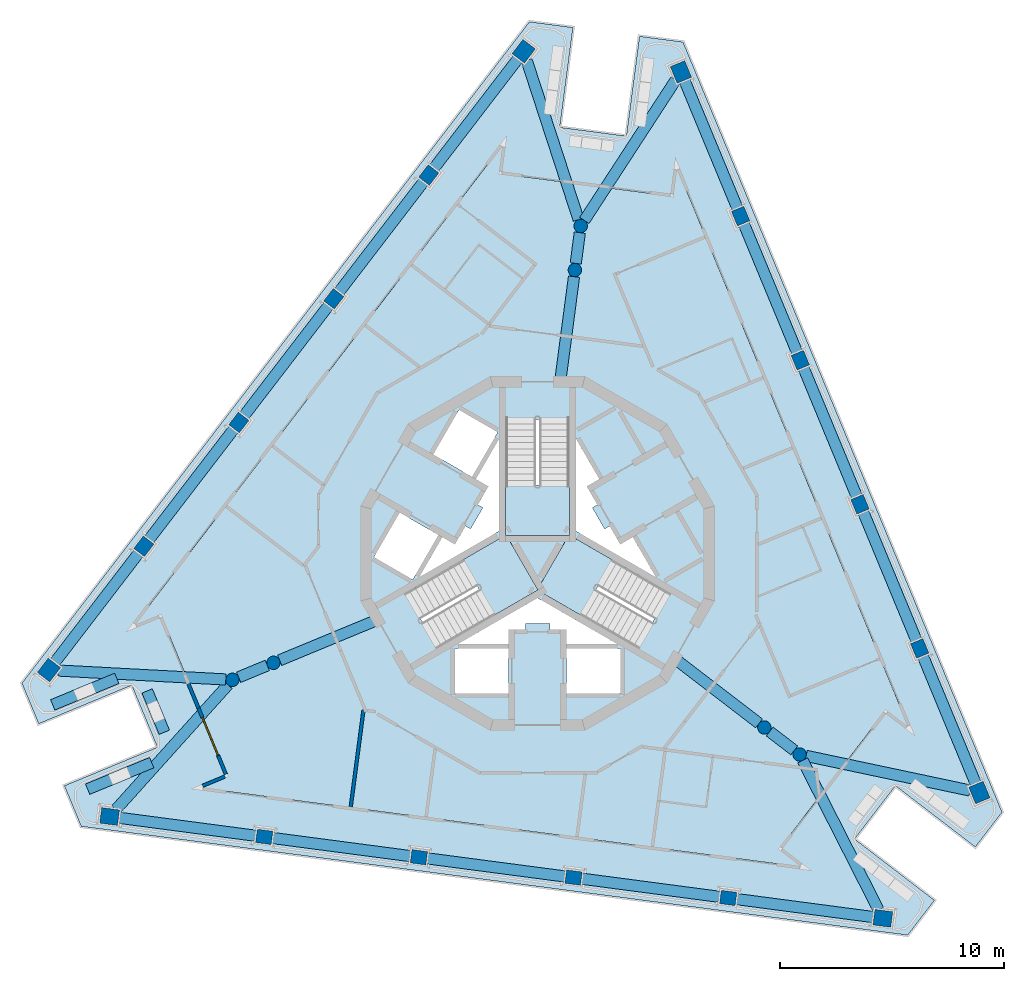
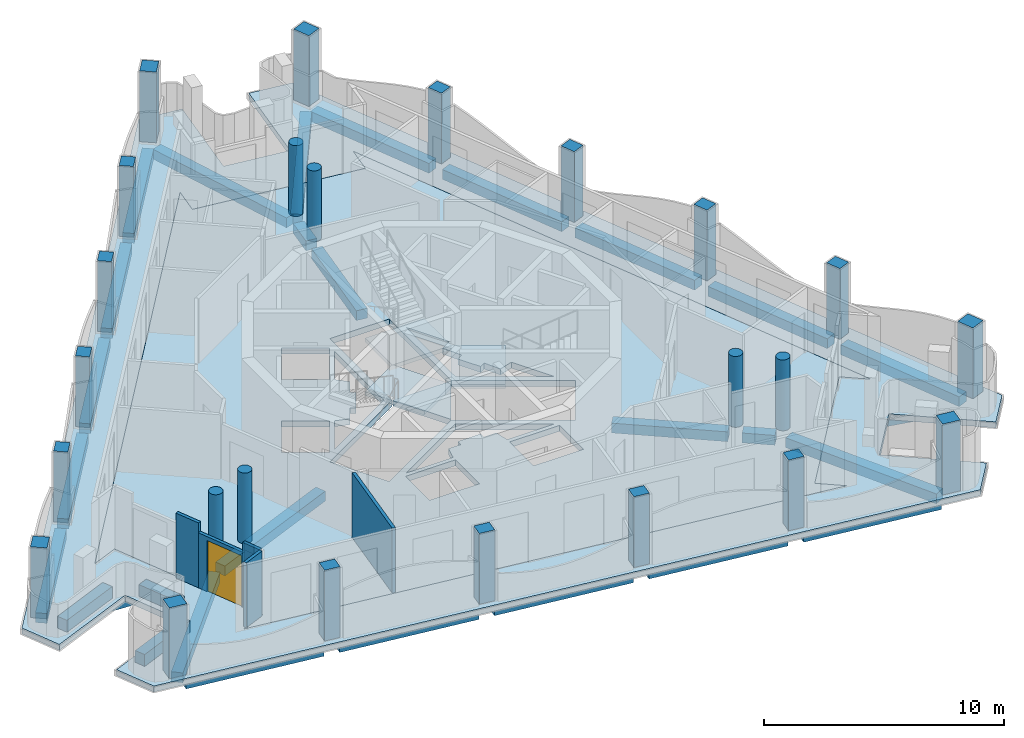
# One storey, part 1 of 12: 27 beams, 24 columns, 8 walls, 6 slabs, 1 door, 1 opening, 3 elements without a shape of their own.
"""IFC4 building model written with IfcOpenShell, lengths in metres."""

from ifc_helpers import new_model, si_unit, direction, frame, frame_2d, origin, origin_2d, place, context, subcontext, project, spatial, polyline, rectangle, circle, outline, extrude, material, layer, layer_set, material_profile, profile_set, type_object, element, fill, aggregate, save


model = new_model("IFC4")

# Units and contexts
model_context = context("Model", 3, precision=1e-05, world=origin(), true_north=direction((0.0, 1.0)))
body_context = subcontext(model_context, "Body", "Model", "MODEL_VIEW")
ifc_project = project(units=[si_unit("LENGTHUNIT", "METRE"), si_unit("AREAUNIT", "SQUARE_METRE"), si_unit("VOLUMEUNIT", "CUBIC_METRE"), si_unit("PLANEANGLEUNIT", "RADIAN"), si_unit("MASSUNIT", "GRAM", prefix="KILO")], contexts=[model_context])

# Site, building, storey
site_placement = place(None, origin())
site = spatial("IfcSite", under=ifc_project, at=site_placement, CompositionType="ELEMENT")
building_placement = place(site_placement, origin())
building = spatial("IfcBuilding", under=site, at=building_placement, Name="Trine Commons Tower", CompositionType="ELEMENT")
storey_placement = place(building_placement, frame((0.0, 0.0, 282.60009765625)))
storey = spatial("IfcBuildingStorey", under=building, at=storey_placement, Name="L74", CompositionType="ELEMENT", Elevation=282.60009765625)

# Columns
ifc_material_1 = material(Name="Concrete C50/60", Category="concrete")
ifc_material_profile_1 = material_profile(ifc_material_1, rectangle(XDim=0.699951171875, YDim=0.60009765625, at=origin_2d()), Name="RC 700x600")
ifc_profile_set_1 = profile_set([ifc_material_profile_1], Name="Concrete C50/60")
column_type_1 = type_object("IfcColumnType", Name="RC column 700x600, C50/60", PredefinedType="COLUMN", material=ifc_profile_set_1)
for number, where, z_axis, x_axis, name in (
    (1, (88.521728515625, 47.098876953125, 0.0), (0.0, 0.0, 1.0), (-0.991444861374, 0.13052619222, 0.0), "Column PC8-02 L74"),
    (2, (81.608642578125, 48.009033203125, 0.0), (0.0, 0.0, 1.0), (-0.991444861374, 0.13052619222, 0.0), "Column PC8-03 L74"),
    (3, (74.695556640625, 48.919189453125, 0.0), (0.0, 0.0, 1.0), (-0.991444861374, 0.13052619222, 0.0), "Column PC8-04 L74"),
    (4, (67.782470703125, 49.8291015625, 0.0), (0.0, 0.0, 1.0), (-0.991444861374, 0.13052619222, 0.0), "Column PC8-05 L74"),
    (5, (62.4013671875, 62.820556640625, 0.0), (0.0, 0.0, 1.0), (0.608761429009, 0.793353340291, 0.0), "Column PC8-08 L74"),
    (6, (66.64599609375, 68.352294921875, 0.0), (0.0, 0.0, 1.0), (0.608761429009, 0.793353340291, 0.0), "Column PC8-09 L74"),
    (7, (70.890869140625, 73.88427734375, 0.0), (0.0, 0.0, 1.0), (0.608761429009, 0.793353340291, 0.0), "Column PC8-10 L74"),
    (8, (75.135498046875, 79.416015625, 0.0), (0.0, 0.0, 1.0), (0.608761429009, 0.793353340291, 0.0), "Column PC8-11 L74"),
    (9, (89.076904296875, 77.58056640625, 0.0), (0.0, 0.0, 1.0), (-0.382683432365, 0.923879532511, 0.0), "Column PC8-14 L74"),
    (10, (91.745361328125, 71.138671875, 0.0), (0.0, 0.0, 1.0), (-0.382683432365, 0.923879532511, 0.0), "Column PC8-15 L74"),
    (11, (94.41357421875, 64.69677734375, 0.0), (0.0, 0.0, 1.0), (-0.382683432365, 0.923879532511, 0.0), "Column PC8-16 L74"),
    (12, (97.081787109375, 58.254638671875, 0.0), (0.0, 0.0, 1.0), (-0.382683432365, 0.923879532511, 0.0), "Column PC8-17 L74"),
):
    element("IfcColumn", number, at=place(storey_placement, frame(where, z_axis=z_axis, x_axis=x_axis)), inside=storey, type_object=column_type_1, Name=name, PredefinedType="COLUMN", context=body_context, shape_type="SweptSolid", body=[
        extrude(rectangle(XDim=0.699951171875, YDim=0.60009765625, at=origin_2d()), origin(), (0.0, 0.0, 1.0), 3.599853515625),
    ])
ifc_material_profile_2 = material_profile(ifc_material_1, rectangle(XDim=0.800048828125, YDim=0.699951171875, at=origin_2d()), Name="RC 800x700")
ifc_profile_set_2 = profile_set([ifc_material_profile_2], Name="Concrete C50/60")
column_type_2 = type_object("IfcColumnType", Name="RC column 800x700, C50/60", PredefinedType="COLUMN", material=ifc_profile_set_2)
for number, where, z_axis, x_axis, name in (
    (13, (95.434814453125, 46.188720703125, 0.0), (0.0, 0.0, 1.0), (-0.991444861374, 0.13052619222, 0.0), "Column PC8-01 L74"),
    (14, (60.869384765625, 50.7392578125, 0.0), (0.0, 0.0, 1.0), (-0.991444861374, 0.13052619222, 0.0), "Column PC8-06 L74"),
    (15, (58.156494140625, 57.288818359375, 0.0), (0.0, 0.0, 1.0), (0.608761429009, 0.793353340291, 0.0), "Column PC8-07 L74"),
    (16, (79.380126953125, 84.947998046875, 0.0), (0.0, 0.0, 1.0), (0.608761429009, 0.793353340291, 0.0), "Column PC8-12 L74"),
    (17, (86.40869140625, 84.022705078125, 0.0), (0.0, 0.0, 1.0), (-0.382683432365, 0.923879532511, 0.0), "Column PC8-13 L74"),
    (18, (99.750244140625, 51.812744140625, 0.0), (0.0, 0.0, 1.0), (-0.382683432365, 0.923879532511, 0.0), "Column PC8-18 L74"),
):
    element("IfcColumn", number, at=place(storey_placement, frame(where, z_axis=z_axis, x_axis=x_axis)), inside=storey, type_object=column_type_2, Name=name, PredefinedType="COLUMN", context=body_context, shape_type="SweptSolid", body=[
        extrude(rectangle(XDim=0.800048828125, YDim=0.699951171875, at=origin_2d()), origin(), (0.0, 0.0, 1.0), 3.599853515625),
    ])
ifc_material_profile_3 = material_profile(ifc_material_1, circle(Radius=0.300048828125, at=origin_2d()), Name="RC round 600")
ifc_profile_set_3 = profile_set([ifc_material_profile_3], Name="Concrete C50/60")
column_type_3 = type_object("IfcColumnType", Name="RC round column 600 mm, C50/60", PredefinedType="COLUMN", material=ifc_profile_set_3)
for number, where, z_axis, x_axis, name in (
    (19, (90.137451171875, 54.72119140625, 0.0), (0.0, 0.0, 1.0), (1.0, 0.0, 0.0), "Column WC8-1 L74"),
    (20, (91.711669921875, 53.513427734375, 0.0), (0.0, 0.0, 1.0), (1.0, 0.0, 0.0), "Column WC8-2 L74"),
    (21, (81.66796875, 75.168701171875, 0.0), (0.0, 0.0, 1.0), (1.0, 0.0, 0.0), "Column WC8-3 L74"),
    (22, (81.927001953125, 77.135986328125, 0.0), (0.0, 0.0, 1.0), (1.0, 0.0, 0.0), "Column WC8-4 L74"),
    (23, (68.194580078125, 57.610107421875, 0.0), (0.0, 0.0, 1.0), (1.0, 0.0, 0.0), "Column WC8-5 L74"),
    (24, (66.361572265625, 56.850830078125, 0.0), (0.0, 0.0, 1.0), (1.0, 0.0, 0.0), "Column WC8-6 L74"),
):
    element("IfcColumn", number, at=place(storey_placement, frame(where, z_axis=z_axis, x_axis=x_axis)), inside=storey, type_object=column_type_3, Name=name, PredefinedType="COLUMN", context=body_context, shape_type="SweptSolid", body=[
        extrude(circle(Radius=0.300048828125, at=origin_2d()), origin(), (0.0, 0.0, 1.0), 3.599853515625),
    ])

# Beams
ifc_material_2 = material(Name="Concrete C40/50", Category="concrete")
ifc_material_profile_4 = material_profile(ifc_material_2, rectangle(XDim=0.5, YDim=0.5, at=origin_2d()), Name="RC 500x500")
ifc_profile_set_4 = profile_set([ifc_material_profile_4], Name="Concrete C40/50")
beam_type = type_object("IfcBeamType", Name="RC beam 500x500, C40/50", PredefinedType="BEAM", material=ifc_profile_set_4)
beam_1_placement = place(storey_placement, frame((95.0380859375, 46.240966796875, -0.550048828125), z_axis=(-0.991444143506, 0.130531644853, 0.0), x_axis=(-0.130531644853, -0.991444143506, 0.0)))
element("IfcBeam", 25, at=beam_1_placement, inside=storey, type_object=beam_type, Name="Beam EB8-01 L74", PredefinedType="BEAM", context=body_context, shape_type="SweptSolid", body=[
    extrude(rectangle(XDim=0.5, YDim=0.5, at=origin_2d()), origin(), (0.0, 0.0, 1.0), 6.22265625),
])
beam_2_placement = place(storey_placement, frame((88.1748046875, 47.14453125, -0.550048828125), z_axis=(-0.9914427663, 0.130542104902, 0.0), x_axis=(-0.130542104902, -0.9914427663, 0.0)))
element("IfcBeam", 26, at=beam_2_placement, inside=storey, type_object=beam_type, Name="Beam EB8-02 L74", PredefinedType="BEAM", context=body_context, shape_type="SweptSolid", body=[
    extrude(rectangle(XDim=0.5, YDim=0.5, at=origin_2d()), origin(), (0.0, 0.0, 1.0), 6.272705078125),
])
for number, where, z_axis, x_axis, name in (
    (27, (81.26171875, 48.0546875, -0.550048828125), (-0.991448465824, 0.130498810784, 0.0), (-0.130498810784, -0.991448465824, 0.0), "Beam EB8-03 L74"),
    (28, (74.3486328125, 48.96484375, -0.550048828125), (-0.991448465824, 0.130498810784, 0.0), (-0.130498810784, -0.991448465824, 0.0), "Beam EB8-04 L74"),
):
    element("IfcBeam", number, at=place(storey_placement, frame(where, z_axis=z_axis, x_axis=x_axis)), inside=storey, type_object=beam_type, Name=name, PredefinedType="BEAM", context=body_context, shape_type="SweptSolid", body=[
        extrude(rectangle(XDim=0.5, YDim=0.5, at=origin_2d()), origin(), (0.0, 0.0, 1.0), 6.27294921875),
    ])
for number, where, z_axis, x_axis, name in (
    (29, (67.435546875, 49.875, -0.550048828125), (-0.991449220248, 0.130493079009, 0.0), (-0.130493079009, -0.991449220248, 0.0), "Beam EB8-05 L74"),
    (30, (58.400146484375, 57.60595703125, -0.550048828125), (0.60875848978, 0.793355595632, 0.0), (-0.793355595632, 0.60875848978, 0.0), "Beam EB8-06 L74"),
):
    element("IfcBeam", number, at=place(storey_placement, frame(where, z_axis=z_axis, x_axis=x_axis)), inside=storey, type_object=beam_type, Name=name, PredefinedType="BEAM", context=body_context, shape_type="SweptSolid", body=[
        extrude(rectangle(XDim=0.5, YDim=0.5, at=origin_2d()), origin(), (0.0, 0.0, 1.0), 6.22265625),
    ])
for number, where, z_axis, x_axis, name in (
    (31, (62.614501953125, 63.09814453125, -0.550048828125), (0.608756693169, 0.793356974206, 0.0), (-0.793356974206, 0.608756693169, 0.0), "Beam EB8-07 L74"),
    (32, (66.859130859375, 68.630126953125, -0.550048828125), (0.608775490712, 0.793342550169, 0.0), (-0.793342550169, 0.608775490712, 0.0), "Beam EB8-08 L74"),
):
    element("IfcBeam", number, at=place(storey_placement, frame(where, z_axis=z_axis, x_axis=x_axis)), inside=storey, type_object=beam_type, Name=name, PredefinedType="BEAM", context=body_context, shape_type="SweptSolid", body=[
        extrude(rectangle(XDim=0.5, YDim=0.5, at=origin_2d()), origin(), (0.0, 0.0, 1.0), 6.272705078125),
    ])
beam_3_placement = place(storey_placement, frame((71.10400390625, 74.161865234375, -0.550048828125), z_axis=(0.608750992772, 0.793361348188, 0.0), x_axis=(-0.793361348188, 0.608750992772, 0.0)))
element("IfcBeam", 33, at=beam_3_placement, inside=storey, type_object=beam_type, Name="Beam EB8-09 L74", PredefinedType="BEAM", context=body_context, shape_type="SweptSolid", body=[
    extrude(rectangle(XDim=0.5, YDim=0.5, at=origin_2d()), origin(), (0.0, 0.0, 1.0), 6.2724609375),
])
beam_4_placement = place(storey_placement, frame((75.3486328125, 79.693603515625, -0.550048828125), z_axis=(0.60873954155, 0.793370134649, 0.0), x_axis=(-0.793370134649, 0.60873954155, 0.0)))
element("IfcBeam", 34, at=beam_4_placement, inside=storey, type_object=beam_type, Name="Beam EB8-10 L74", PredefinedType="BEAM", context=body_context, shape_type="SweptSolid", body=[
    extrude(rectangle(XDim=0.5, YDim=0.5, at=origin_2d()), origin(), (0.0, 0.0, 1.0), 6.222900390625),
])
beam_5_placement = place(storey_placement, frame((86.561767578125, 83.653076171875, -0.550048828125), z_axis=(0.382686748804, -0.92387815879, 0.0), x_axis=(0.92387815879, 0.382686748804, 0.0)))
element("IfcBeam", 35, at=beam_5_placement, inside=storey, type_object=beam_type, Name="Beam EB8-11 L74", PredefinedType="BEAM", context=body_context, shape_type="SweptSolid", body=[
    extrude(rectangle(XDim=0.5, YDim=0.5, at=origin_2d()), origin(), (0.0, 0.0, 1.0), 6.22265625),
])
beam_6_placement = place(storey_placement, frame((89.210693359375, 77.257080078125, -0.550048828125), z_axis=(0.382724191967, -0.923862648278, 0.0), x_axis=(0.923862648278, 0.382724191967, 0.0)))
element("IfcBeam", 36, at=beam_6_placement, inside=storey, type_object=beam_type, Name="Beam EB8-12 L74", PredefinedType="BEAM", context=body_context, shape_type="SweptSolid", body=[
    extrude(rectangle(XDim=0.5, YDim=0.5, at=origin_2d()), origin(), (0.0, 0.0, 1.0), 6.2724609375),
])
for number, where, z_axis, x_axis, name in (
    (37, (91.879150390625, 70.815185546875, -0.550048828125), (0.38271043005, -0.923868349242, 0.0), (0.923868349242, 0.38271043005, 0.0), "Beam EB8-13 L74"),
    (38, (94.547607421875, 64.373291015625, -0.550048828125), (0.38267720894, -0.923882110314, 0.0), (0.923882110314, 0.38267720894, 0.0), "Beam EB8-14 L74"),
):
    element("IfcBeam", number, at=place(storey_placement, frame(where, z_axis=z_axis, x_axis=x_axis)), inside=storey, type_object=beam_type, Name=name, PredefinedType="BEAM", context=body_context, shape_type="SweptSolid", body=[
        extrude(rectangle(XDim=0.5, YDim=0.5, at=origin_2d()), origin(), (0.0, 0.0, 1.0), 6.272705078125),
    ])
beam_7_placement = place(storey_placement, frame((97.2158203125, 57.931396484375, -0.550048828125), z_axis=(0.382686748804, -0.92387815879, 0.0), x_axis=(0.92387815879, 0.382686748804, 0.0)))
element("IfcBeam", 39, at=beam_7_placement, inside=storey, type_object=beam_type, Name="Beam EB8-15 L74", PredefinedType="BEAM", context=body_context, shape_type="SweptSolid", body=[
    extrude(rectangle(XDim=0.5, YDim=0.5, at=origin_2d()), origin(), (0.0, 0.0, 1.0), 6.22265625),
])
beam_8_placement = place(storey_placement, frame((61.1533203125, 51.054931640625, -0.550048828125), z_axis=(0.668383038107, 0.743817258721, 0.0), x_axis=(-0.743817258721, 0.668383038107, 0.0)))
element("IfcBeam", 40, at=beam_8_placement, inside=storey, type_object=beam_type, Name="Beam CB8-01 L74", PredefinedType="BEAM", context=body_context, shape_type="SweptSolid", body=[
    extrude(rectangle(XDim=0.5, YDim=0.5, at=origin_2d()), origin(), (0.0, 0.0, 1.0), 7.492431640625),
])
beam_9_placement = place(storey_placement, frame((58.580322265625, 57.26611328125, -0.550048828125), z_axis=(0.998578123195, -0.053307896938, 0.0), x_axis=(0.053307896938, 0.998578123195, 0.0)))
element("IfcBeam", 41, at=beam_9_placement, inside=storey, type_object=beam_type, Name="Beam CB8-02 L74", PredefinedType="BEAM", context=body_context, shape_type="SweptSolid", body=[
    extrude(rectangle(XDim=0.5, YDim=0.5, at=origin_2d()), origin(), (0.0, 0.0, 1.0), 7.49267578125),
])
for number, where, z_axis, x_axis, name in (
    (42, (79.51171875, 84.54443359375, -0.550048828125), (0.309945045927, -0.950754473303, 0.0), (0.950754473303, 0.309945045927, 0.0), "Beam CB8-03 L74"),
    (43, (86.177001953125, 83.6669921875, -0.550048828125), (-0.545439536042, -0.838150173013, 0.0), (0.838150173013, -0.545439536042, 0.0), "Beam CB8-04 L74"),
):
    element("IfcBeam", number, at=place(storey_placement, frame(where, z_axis=z_axis, x_axis=x_axis)), inside=storey, type_object=beam_type, Name=name, PredefinedType="BEAM", context=body_context, shape_type="SweptSolid", body=[
        extrude(rectangle(XDim=0.5, YDim=0.5, at=origin_2d()), origin(), (0.0, 0.0, 1.0), 7.492431640625),
    ])
beam_10_placement = place(storey_placement, frame((99.335205078125, 51.900634765625, -0.550048828125), z_axis=(-0.978346023525, 0.206975984727, 0.0), x_axis=(-0.206975984727, -0.978346023525, 0.0)))
element("IfcBeam", 44, at=beam_10_placement, inside=storey, type_object=beam_type, Name="Beam CB8-05 L74", PredefinedType="BEAM", context=body_context, shape_type="SweptSolid", body=[
    extrude(rectangle(XDim=0.5, YDim=0.5, at=origin_2d()), origin(), (0.0, 0.0, 1.0), 7.49267578125),
])
beam_11_placement = place(storey_placement, frame((95.242431640625, 46.56689453125, -0.550048828125), z_axis=(-0.453121168072, 0.891448936869, 0.0), x_axis=(-0.891448936869, -0.453121168072, 0.0)))
element("IfcBeam", 45, at=beam_11_placement, inside=storey, type_object=beam_type, Name="Beam CB8-06 L74", PredefinedType="BEAM", context=body_context, shape_type="SweptSolid", body=[
    extrude(rectangle(XDim=0.5, YDim=0.5, at=origin_2d()), origin(), (0.0, 0.0, 1.0), 7.492431640625),
])
beam_12_placement = place(storey_placement, frame((86.020751953125, 57.880126953125, -0.550048828125), z_axis=(0.793360362614, -0.60875227723, 0.0), x_axis=(0.60875227723, 0.793360362614, 0.0)))
element("IfcBeam", 46, at=beam_12_placement, inside=storey, type_object=beam_type, Name="Beam RB8-01 L74", PredefinedType="BEAM", context=body_context, shape_type="SweptSolid", body=[
    extrude(rectangle(XDim=0.5, YDim=0.5, at=origin_2d()), origin(), (0.0, 0.0, 1.0), 4.88916015625),
])
beam_13_placement = place(storey_placement, frame((90.375244140625, 54.538818359375, -0.550048828125), z_axis=(0.793350909005, -0.60876459751, 0.0), x_axis=(0.60876459751, 0.793350909005, 0.0)))
element("IfcBeam", 47, at=beam_13_placement, inside=storey, type_object=beam_type, Name="Beam RB8-02 L74", PredefinedType="BEAM", context=body_context, shape_type="SweptSolid", body=[
    extrude(rectangle(XDim=0.5, YDim=0.5, at=origin_2d()), origin(), (0.0, 0.0, 1.0), 1.384765625),
])
beam_14_placement = place(storey_placement, frame((80.990478515625, 70.02392578125, -0.550048828125), z_axis=(0.130570757815, 0.991438993183, 0.0), x_axis=(-0.991438993183, 0.130570757815, 0.0)))
element("IfcBeam", 48, at=beam_14_placement, inside=storey, type_object=beam_type, Name="Beam RB8-03 L74", PredefinedType="BEAM", context=body_context, shape_type="SweptSolid", body=[
    extrude(rectangle(XDim=0.5, YDim=0.5, at=origin_2d()), origin(), (0.0, 0.0, 1.0), 4.889404296875),
])
beam_15_placement = place(storey_placement, frame((81.70703125, 75.4658203125, -0.550048828125), z_axis=(0.130454512571, 0.991454295543, 0.0), x_axis=(-0.991454295543, 0.130454512571, 0.0)))
element("IfcBeam", 49, at=beam_15_placement, inside=storey, type_object=beam_type, Name="Beam RB8-04 L74", PredefinedType="BEAM", context=body_context, shape_type="SweptSolid", body=[
    extrude(rectangle(XDim=0.5, YDim=0.5, at=origin_2d()), origin(), (0.0, 0.0, 1.0), 1.384765625),
])
beam_16_placement = place(storey_placement, frame((72.98876953125, 59.595703125, -0.550048828125), z_axis=(-0.923885978684, -0.382667869556, 0.0), x_axis=(0.382667869556, -0.923885978684, 0.0)))
element("IfcBeam", 50, at=beam_16_placement, inside=storey, type_object=beam_type, Name="Beam RB8-05 L74", PredefinedType="BEAM", context=body_context, shape_type="SweptSolid", body=[
    extrude(rectangle(XDim=0.5, YDim=0.5, at=origin_2d()), origin(), (0.0, 0.0, 1.0), 4.888916015625),
])
beam_17_placement = place(storey_placement, frame((67.91748046875, 57.495361328125, -0.550048828125), z_axis=(-0.923857745483, -0.38273602667, 0.0), x_axis=(0.38273602667, -0.923857745483, 0.0)))
element("IfcBeam", 51, at=beam_17_placement, inside=storey, type_object=beam_type, Name="Beam RB8-06 L74", PredefinedType="BEAM", context=body_context, shape_type="SweptSolid", body=[
    extrude(rectangle(XDim=0.5, YDim=0.5, at=origin_2d()), origin(), (0.0, 0.0, 1.0), 1.38427734375),
])

# Slabs
ifc_layer_1 = layer(ifc_material_2, 0.300048828125)
ifc_layer_set_1 = layer_set([ifc_layer_1], Name="Concrete C40/50")
slab_type_1 = type_object("IfcSlabType", Name="Loggia slab 300 mm, C40/50", PredefinedType="FLOOR", material=ifc_layer_set_1)
slab_1_placement = place(storey_placement, frame((0.0, 0.0, -0.300048828125)))
element("IfcSlab", 52, at=slab_1_placement, inside=storey, type_object=slab_type_1, Name="Loggia slab L74", PredefinedType="FLOOR", context=body_context, shape_type="SweptSolid", body=[
    extrude(outline(polyline([(100.763916015625, 50.933837890625), (86.503662109375, 85.36083984375), (84.556396484375, 85.6171875), (83.968994140625, 81.15576171875), (80.99462890625, 81.54736328125), (81.58203125, 86.0087890625), (79.634765625, 86.26513671875), (56.9501953125, 56.701904296875), (57.70166015625, 54.88720703125), (61.859130859375, 56.609375), (63.007080078125, 53.837890625), (58.849853515625, 52.11572265625), (59.601318359375, 50.301025390625), (96.546142578125, 45.437255859375), (97.741943359375, 46.99560546875), (94.171875, 49.73486328125), (95.998046875, 52.114990234375), (99.568115234375, 49.37548828125), (100.763916015625, 50.933837890625)]), holes=[polyline([(63.158203125, 59.7451171875), (66.14306640625, 52.538818359375), (64.900390625, 52.024169921875), (91.873779296875, 48.47314453125), (90.806640625, 49.2919921875), (95.55517578125, 55.47998046875), (96.6220703125, 54.6611328125), (86.210693359375, 79.79638671875), (86.03515625, 78.462890625), (78.302001953125, 79.481201171875), (78.4775390625, 80.814697265625), (61.915283203125, 59.23046875), (63.158203125, 59.7451171875)])]), origin(), (0.0, 0.0, 1.0), 0.300048828125),
])
ifc_layer_2 = layer(ifc_material_2, 0.300048828125)
ifc_layer_set_2 = layer_set([ifc_layer_2], Name="Concrete C40/50")
slab_type_2 = type_object("IfcSlabType", Name="PT flat slab 300 mm, C40/50", PredefinedType="FLOOR", material=ifc_layer_set_2)
slab_2_placement = place(storey_placement, frame((0.0, 0.0, -0.300048828125)))
element("IfcSlab", 53, at=slab_2_placement, inside=storey, type_object=slab_type_2, Name="Floor slab L74", PredefinedType="FLOOR", context=body_context, shape_type="SweptSolid", body=[
    extrude(outline(polyline([(61.915283203125, 59.23046875), (63.158203125, 59.7451171875), (66.14306640625, 52.538818359375), (64.900390625, 52.024169921875), (91.873779296875, 48.47314453125), (90.806640625, 49.2919921875), (95.55517578125, 55.47998046875), (96.6220703125, 54.6611328125), (86.210693359375, 79.79638671875), (86.03515625, 78.462890625), (78.302001953125, 79.481201171875), (78.4775390625, 80.814697265625), (61.915283203125, 59.23046875)]), holes=[polyline([(78.699951171875, 56.25), (78.699951171875, 58.25), (76.300048828125, 58.25), (76.300048828125, 56.25), (78.699951171875, 56.25)]), polyline([(83.699951171875, 56.25), (83.699951171875, 58.25), (81.300048828125, 58.25), (81.300048828125, 56.25), (83.699951171875, 56.25)]), polyline([(81.300048828125, 58.449951171875), (83.56494140625, 58.449951171875), (80.0, 60.508056640625), (76.43505859375, 58.449951171875), (78.699951171875, 58.449951171875), (78.85009765625, 59.10009765625), (79.449951171875, 59.10009765625), (79.449951171875, 59.360107421875), (80.550048828125, 59.360107421875), (80.550048828125, 59.10009765625), (81.14990234375, 59.10009765625), (81.300048828125, 58.449951171875)]), polyline([(81.425048828125, 63.32275390625), (81.425048828125, 68.490478515625), (78.574951171875, 68.490478515625), (78.574951171875, 63.32275390625), (74.099609375, 60.73876953125), (75.5244140625, 58.2705078125), (80.0, 60.8544921875), (84.4755859375, 58.2705078125), (85.900390625, 60.73876953125), (81.425048828125, 63.32275390625)]), polyline([(72.687255859375, 62.333984375), (74.41943359375, 61.333984375), (75.5693359375, 63.325927734375), (73.83740234375, 64.325927734375), (72.687255859375, 62.333984375)]), polyline([(76.381103515625, 63.031005859375), (75.742919921875, 63.22607421875), (74.7099609375, 61.43798828125), (78.27490234375, 63.49609375), (78.27490234375, 67.612060546875), (77.242919921875, 65.823974609375), (77.73095703125, 65.368896484375), (77.3310546875, 64.676025390625), (77.555908203125, 64.5458984375), (77.006103515625, 63.593994140625), (76.781005859375, 63.722900390625), (76.381103515625, 63.031005859375)]), polyline([(82.993896484375, 63.593994140625), (82.444091796875, 64.5458984375), (82.72705078125, 64.7099609375), (82.281005859375, 65.549072265625), (82.757080078125, 65.823974609375), (81.72509765625, 67.612060546875), (81.72509765625, 63.49609375), (85.2900390625, 61.43798828125), (84.257080078125, 63.22607421875), (83.618896484375, 63.031005859375), (83.243896484375, 63.738037109375), (82.993896484375, 63.593994140625)]), polyline([(76.4873046875, 68.916015625), (75.33740234375, 66.924072265625), (77.0693359375, 65.924072265625), (78.219482421875, 67.916015625), (76.4873046875, 68.916015625)])]), origin(), (0.0, 0.0, 1.0), 0.300048828125),
])
slab_3_placement = place(storey_placement, frame((0.0, 0.0, -0.300048828125)))
element("IfcSlab", 54, at=slab_3_placement, inside=storey, type_object=slab_type_2, Name="Floor slab L74 2", PredefinedType="FLOOR", context=body_context, shape_type="SweptSolid", body=[
    extrude(outline(polyline([(81.38671875, 63.300537109375), (78.61328125, 63.300537109375), (80.0, 60.89892578125), (81.38671875, 63.300537109375)])), origin(), (0.0, 0.0, 1.0), 0.300048828125),
])

# Stair, slab
stair_type = type_object("IfcStairType", Name="Exit stair, dog-leg, 24 risers of 150 mm", PredefinedType="HALF_TURN_STAIR", material=ifc_material_1)
stair_1_placement = place(storey_placement, origin())
stair_1 = element("IfcStair", 55, at=stair_1_placement, inside=storey, type_object=stair_type, Name="L74 Exit stair ST1D", PredefinedType="HALF_TURN_STAIR")
ifc_layer_3 = layer(ifc_material_1, 0.199951171875)
ifc_layer_set_3 = layer_set([ifc_layer_3], Name="Concrete C50/60")
slab_type_3 = type_object("IfcSlabType", Name="Stair landing slab 200 mm, C50/60", PredefinedType="LANDING", material=ifc_layer_set_3)
slab_4_placement = place(storey_placement, frame((0.0, 0.0, 1.599853515625)))
slab_4 = element("IfcSlab", 56, at=slab_4_placement, type_object=slab_type_3, Name="ST1D landing 1", PredefinedType="LANDING", context=body_context, shape_type="SweptSolid", body=[
    extrude(outline(polyline([(78.574951171875, 65.570556640625), (78.574951171875, 63.300537109375), (81.425048828125, 63.300537109375), (81.425048828125, 65.570556640625), (78.574951171875, 65.570556640625)])), origin(), (0.0, 0.0, 1.0), 0.199951171875),
])
aggregate(stair_1, [slab_4])

stair_2_placement = place(storey_placement, origin())
stair_2 = element("IfcStair", 57, at=stair_2_placement, inside=storey, type_object=stair_type, Name="L74 Exit stair ST2D", PredefinedType="HALF_TURN_STAIR")
slab_5_placement = place(storey_placement, frame((0.0, 0.0, 1.599853515625)))
slab_5 = element("IfcSlab", 58, at=slab_5_placement, type_object=slab_type_3, Name="ST2D landing 1", PredefinedType="LANDING", context=body_context, shape_type="SweptSolid", body=[
    extrude(outline(polyline([(78.05322265625, 59.730712890625), (80.019287109375, 60.86572265625), (78.59423828125, 63.333740234375), (76.628173828125, 62.19873046875), (78.05322265625, 59.730712890625)])), origin(), (0.0, 0.0, 1.0), 0.199951171875),
])
aggregate(stair_2, [slab_5])

stair_3_placement = place(storey_placement, origin())
stair_3 = element("IfcStair", 59, at=stair_3_placement, inside=storey, type_object=stair_type, Name="L74 Exit stair ST3D", PredefinedType="HALF_TURN_STAIR")
slab_6_placement = place(storey_placement, frame((0.0, 0.0, 1.599853515625)))
slab_6 = element("IfcSlab", 60, at=slab_6_placement, type_object=slab_type_3, Name="ST3D landing 1", PredefinedType="LANDING", context=body_context, shape_type="SweptSolid", body=[
    extrude(outline(polyline([(83.371826171875, 62.19873046875), (81.40576171875, 63.333740234375), (79.980712890625, 60.86572265625), (81.94677734375, 59.730712890625), (83.371826171875, 62.19873046875)])), origin(), (0.0, 0.0, 1.0), 0.199951171875),
])
aggregate(stair_3, [slab_6])

# Walls
ifc_material_3 = material(Name="Aluminium-framed insulated wall panel", Category="aluminium")
ifc_layer_4 = layer(ifc_material_3, 0.14990234375)
ifc_layer_set_4 = layer_set([ifc_layer_4], Name="Aluminium-framed insulated wall panel")
wall_type_1 = type_object("IfcWallType", Name="Glazed frame wall 150, EI 60", PredefinedType="SOLIDWALL", material=ifc_layer_set_4)
wall_1_placement = place(storey_placement, frame((64.886962890625, 52.056396484375, 0.0), z_axis=(0.0, 0.0, 1.0), x_axis=(0.923837625967, 0.382784588048, 0.0)))
element("IfcWall", 61, at=wall_1_placement, inside=storey, type_object=wall_type_1, Name="Glazed frame wall R10", PredefinedType="SOLIDWALL", context=body_context, shape_type="SweptSolid", body=[
    extrude(outline(polyline([(0.1494140625, 0.074951171875), (0.1494140625, -0.074951171875), (1.235107421875, -0.074951171875), (1.235107421875, 0.074951171875), (0.1494140625, 0.074951171875)])), origin(), (0.0, 0.0, 1.0), 3.2998046875),
])
wall_2_placement = place(storey_placement, frame((66.110595703125, 52.525390625, 0.0), z_axis=(0.0, 0.0, 1.0), x_axis=(-0.382517086072, 0.923948417858, 0.0)))
element("IfcWall", 62, at=wall_2_placement, inside=storey, type_object=wall_type_1, Name="Glazed frame wall P3.1", PredefinedType="SOLIDWALL", context=body_context, shape_type="SweptSolid", body=[
    extrude(outline(polyline([(0.110107421875, -0.074951171875), (1.0, -0.074951171875), (1.0, 0.074951171875), (0.110107421875, 0.074951171875), (0.110107421875, -0.074951171875)])), origin(), (0.0, 0.0, 1.0), 3.2998046875),
])

# Wall, opening, door
wall_3_placement = place(storey_placement, frame((65.72802734375, 53.449462890625, 0.0), z_axis=(0.0, 0.0, 1.0), x_axis=(-0.382693948857, 0.923875176368, 0.0)))
wall_3 = element("IfcWall", 63, at=wall_3_placement, inside=storey, type_object=wall_type_1, Name="Glazed frame wall P3.2", PredefinedType="SOLIDWALL", context=body_context, shape_type="SweptSolid", body=[
    extrude(outline(polyline([(0.0, -0.074951171875), (2.310791015625, -0.074951171875), (2.310791015625, 0.074951171875), (0.0, 0.074951171875), (0.0, -0.074951171875)])), origin(), (0.0, 0.0, 1.0), 2.7998046875),
])
opening_placement = place(wall_3_placement, frame((0.050048828125, 0.0, 0.0)))
opening = element("IfcOpeningElement", 64, at=opening_placement, cuts=wall_3, Name="Opening BD-8P3-01", PredefinedType="OPENING", context=body_context, shape_type="SweptSolid", body=[
    extrude(rectangle(XDim=1.800048828125, YDim=2.60009765625, at=frame_2d((0.89990234375, 1.300048828125))), frame((0.0, 0.0849609375, 0.0), z_axis=(0.0, -1.0, 0.0), x_axis=(1.0, 0.0, 0.0)), (0.0, 0.0, 1.0), 0.169921875),
])
ifc_material_4 = material(Name="Anodised aluminium frame with double glazing", Category="aluminium")
door_type = type_object("IfcDoorType", Name="Sliding loggia door 1800x2600", OperationType="SLIDING_TO_LEFT", PredefinedType="DOOR", material=ifc_material_4)
door_placement = place(opening_placement, origin())
door = element("IfcDoor", 65, at=door_placement, inside=storey, type_object=door_type, Name="Loggia door P3 1", OperationType="SLIDING_TO_LEFT", OverallHeight=2.60009765625, OverallWidth=1.800048828125, PredefinedType="DOOR", context=body_context, shape_type="SweptSolid", body=[
    extrude(rectangle(XDim=1.800048828125, YDim=2.60009765625, at=frame_2d((0.89990234375, 1.300048828125))), frame((0.0, 0.02490234375, 0.0), z_axis=(0.0, -1.0, 0.0), x_axis=(1.0, 0.0, 0.0)), (0.0, 0.0, 1.0), 0.050048828125),
])
fill(opening, door)

# Walls
wall_4_placement = place(storey_placement, frame((64.84375, 55.584228515625, 0.0), z_axis=(0.0, 0.0, 1.0), x_axis=(-0.382790839847, 0.923835035561, 0.0)))
element("IfcWall", 66, at=wall_4_placement, inside=storey, type_object=wall_type_1, Name="Glazed frame wall P3.3", PredefinedType="SOLIDWALL", context=body_context, shape_type="SweptSolid", body=[
    extrude(outline(polyline([(0.0, -0.074951171875), (1.1787109375, -0.074951171875), (1.1787109375, 0.074951171875), (0.0, 0.074951171875), (0.0, -0.074951171875)])), origin(), (0.0, 0.0, 1.0), 3.2998046875),
])
ifc_material_5 = material(Name="Planter trough, precast concrete C40/50", Category="concrete")
ifc_layer_5 = layer(ifc_material_5, 0.5)
ifc_layer_set_5 = layer_set([ifc_layer_5], Name="Planter trough, precast concrete C40/50")
wall_type_2 = type_object("IfcWallType", Name="Planter trough 500x600", PredefinedType="PARAPET", material=ifc_layer_set_5)
wall_5_placement = place(storey_placement, frame((59.887939453125, 51.961181640625, 0.0), z_axis=(0.0, 0.0, 1.0), x_axis=(0.923883411188, 0.382674068277, 0.0)))
element("IfcWall", 67, at=wall_5_placement, inside=storey, type_object=wall_type_2, Name="Planter 1", PredefinedType="PARAPET", context=body_context, shape_type="SweptSolid", body=[
    extrude(rectangle(XDim=3.099853515625, YDim=0.5, at=frame_2d((1.5498046875, 0.0))), origin(), (0.0, 0.0, 1.0), 0.599853515625),
])
wall_6_placement = place(storey_placement, frame((63.314697265625, 54.50634765625, 0.0), z_axis=(0.0, 0.0, 1.0), x_axis=(-0.382707581205, 0.923869529365, 0.0)))
element("IfcWall", 68, at=wall_6_placement, inside=storey, type_object=wall_type_2, Name="Planter 2", PredefinedType="PARAPET", context=body_context, shape_type="SweptSolid", body=[
    extrude(rectangle(XDim=2.0, YDim=0.5, at=frame_2d((1.0, 0.0))), origin(), (0.0, 0.0, 1.0), 0.599853515625),
])
wall_7_placement = place(storey_placement, frame((61.190673828125, 56.9169921875, 0.0), z_axis=(0.0, 0.0, 1.0), x_axis=(-0.923883411188, -0.382674068277, 0.0)))
element("IfcWall", 69, at=wall_7_placement, inside=storey, type_object=wall_type_2, Name="Planter 3", PredefinedType="PARAPET", context=body_context, shape_type="SweptSolid", body=[
    extrude(rectangle(XDim=3.099853515625, YDim=0.5, at=frame_2d((1.5498046875, 0.0))), origin(), (0.0, 0.0, 1.0), 0.599853515625),
])
ifc_material_6 = material(Name="Gypsum plasterboard on steel stud", Category="steel")
ifc_layer_6 = layer(ifc_material_6, 0.14990234375)
ifc_layer_set_6 = layer_set([ifc_layer_6], Name="Gypsum plasterboard on steel stud")
wall_type_3 = type_object("IfcWallType", Name="Unit and corridor wall 150 mm, EI 60", PredefinedType="PARTITIONING", material=ifc_layer_set_6)
wall_8_placement = place(storey_placement, frame((71.649169921875, 51.17578125, 0.0), z_axis=(0.0, 0.0, 1.0), x_axis=(0.130454512571, 0.991454295543, 0.0)))
element("IfcWall", 70, at=wall_8_placement, inside=storey, type_object=wall_type_3, Name="Partition 010", PredefinedType="PARTITIONING", context=body_context, shape_type="SweptSolid", body=[
    extrude(rectangle(XDim=4.360595703125, YDim=0.14990234375, at=frame_2d((2.18017578125, 0.0))), origin(), (0.0, 0.0, 1.0), 3.2998046875),
])

save(model, "model.ifc")
